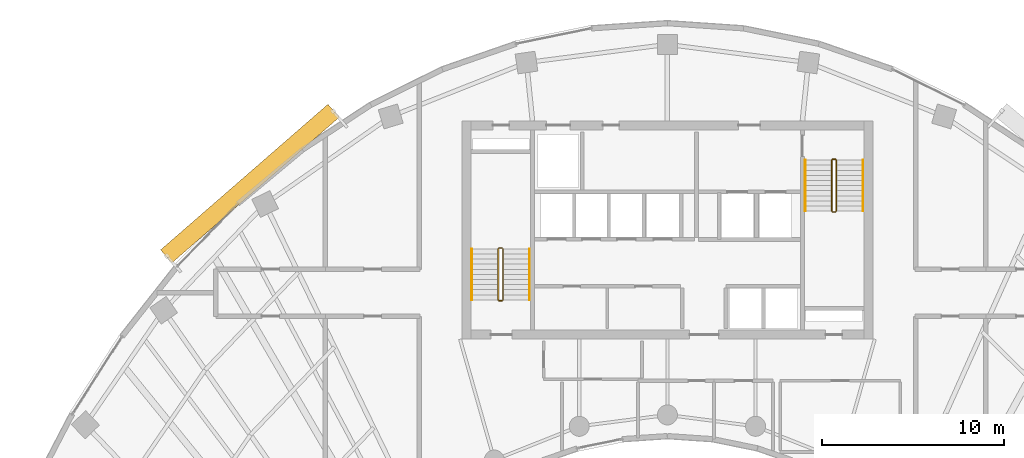
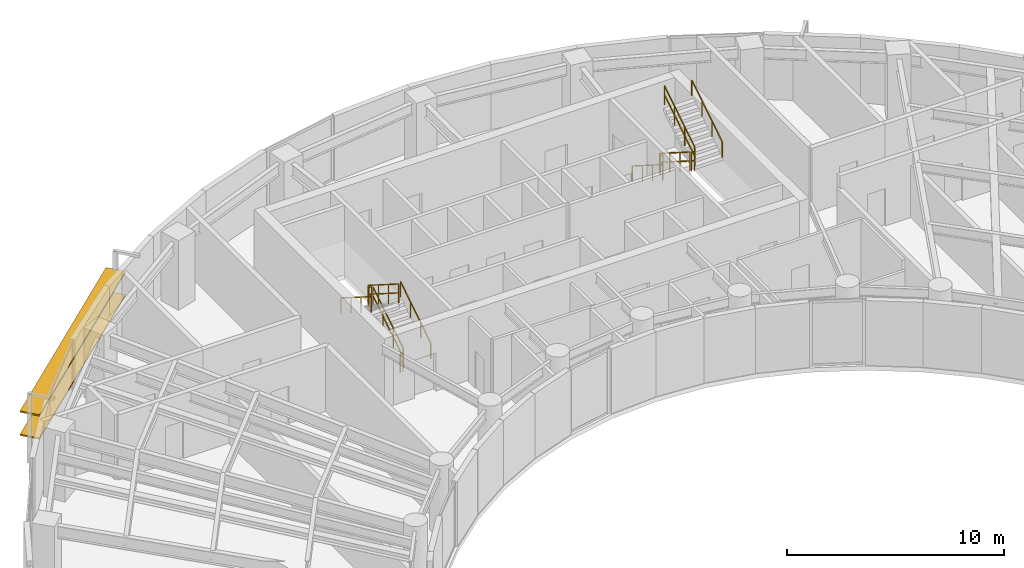
# One storey, part 12 of 13: 12 railings, 2 shading devices.
"""IFC4 building model written with IfcOpenShell, lengths in metres."""

from ifc_helpers import new_model, si_unit, direction, frame, origin, origin_2d, place, context, subcontext, project, spatial, rectangle, extrude, source, transform, mapped, material, material_profile, profile_set, type_object, type_shapes, element, save


model = new_model("IFC4")

# Units and contexts
model_context = context("Model", 3, precision=1e-05, world=origin(), true_north=direction((0.0, 1.0)))
body_context = subcontext(model_context, "Body", "Model", "MODEL_VIEW")
ifc_project = project(units=[si_unit("LENGTHUNIT", "METRE"), si_unit("AREAUNIT", "SQUARE_METRE"), si_unit("VOLUMEUNIT", "CUBIC_METRE"), si_unit("PLANEANGLEUNIT", "RADIAN"), si_unit("MASSUNIT", "GRAM", prefix="KILO")], contexts=[model_context])

# Site, building, storey
site_placement = place(None, origin())
site = spatial("IfcSite", under=ifc_project, at=site_placement, CompositionType="ELEMENT")
building_placement = place(site_placement, origin())
building = spatial("IfcBuilding", under=site, at=building_placement, Name="Breltana Convention Tower", CompositionType="ELEMENT")
storey_placement = place(building_placement, frame((0.0, 0.0, 181.800048828125)))
storey = spatial("IfcBuildingStorey", under=building, at=storey_placement, Name="L44", CompositionType="ELEMENT", Elevation=181.800048828125)

# Railings
ifc_material_1 = material(Name="Steel S275 Painted", Category="steel")
railing_type_1 = type_object("IfcRailingType", Name="RL-STAIR-GUARD-1100", PredefinedType="GUARDRAIL", material=ifc_material_1)
railing_1_placement = place(storey_placement, frame((38.9599609375, 62.360107421875, 0.17724609375)))
element("IfcRailing", 1, at=railing_1_placement, inside=storey, type_object=railing_type_1, Name="L44 ST-1 stair guard 1", PredefinedType="GUARDRAIL", context=body_context, shape_type="SweptSolid", body=[
    extrude(rectangle(XDim=0.048095703125, YDim=0.048095703125, at=origin_2d()), frame((0.0, 0.0, 1.076171875), z_axis=(0.0, 0.844887892834, 0.53494340686), x_axis=(-1.0, 0.0, 0.0)), (0.0, 0.0, 1.0), 3.313720703125),
    extrude(rectangle(XDim=0.048095703125, YDim=0.048095703125, at=origin_2d()), frame((0.0, 0.0, 0.572021484375), z_axis=(0.0, 0.844887892834, 0.53494340686), x_axis=(-1.0, 0.0, 0.0)), (0.0, 0.0, 1.0), 3.313720703125),
    extrude(rectangle(XDim=0.0419921875, YDim=0.0419921875, at=origin_2d()), origin(), (0.0, 0.0, 1.0), 1.052001953125),
    extrude(rectangle(XDim=0.0419921875, YDim=0.0419921875, at=origin_2d()), frame((0.0, 0.933349609375, 0.5908203125)), (0.0, 0.0, 1.0), 1.052001953125),
    extrude(rectangle(XDim=0.0419921875, YDim=0.0419921875, at=origin_2d()), frame((0.0, 1.866455078125, 1.181884765625)), (0.0, 0.0, 1.0), 1.052001953125),
    extrude(rectangle(XDim=0.0419921875, YDim=0.0419921875, at=origin_2d()), frame((0.0, 2.7998046875, 1.772705078125)), (0.0, 0.0, 1.0), 1.052001953125),
])
railing_2_placement = place(storey_placement, frame((38.909912109375, 65.2099609375, 1.949951171875)))
element("IfcRailing", 2, at=railing_2_placement, inside=storey, type_object=railing_type_1, Name="L44 ST-1 stair guard 2", PredefinedType="GUARDRAIL", context=body_context, shape_type="SweptSolid", body=[
    extrude(rectangle(XDim=0.048095703125, YDim=0.048095703125, at=origin_2d()), frame((0.0, 0.0, 1.076171875), z_axis=(-1.0, 0.0, 0.0), x_axis=(0.0, -1.0, 0.0)), (0.0, 0.0, 1.0), 0.14990234375),
    extrude(rectangle(XDim=0.048095703125, YDim=0.048095703125, at=origin_2d()), frame((0.0, 0.0, 0.572021484375), z_axis=(-1.0, 0.0, 0.0), x_axis=(0.0, -1.0, 0.0)), (0.0, 0.0, 1.0), 0.14990234375),
    extrude(rectangle(XDim=0.0419921875, YDim=0.0419921875, at=origin_2d()), origin(), (0.0, 0.0, 1.0), 1.052001953125),
    extrude(rectangle(XDim=0.0419921875, YDim=0.0419921875, at=origin_2d()), frame((-0.14990234375, 0.0, 0.0)), (0.0, 0.0, 1.0), 1.052001953125),
])
railing_3_placement = place(storey_placement, frame((38.7099609375, 65.159912109375, 2.127197265625)))
element("IfcRailing", 3, at=railing_3_placement, inside=storey, type_object=railing_type_1, Name="L44 ST-1 stair guard 3", PredefinedType="GUARDRAIL", context=body_context, shape_type="SweptSolid", body=[
    extrude(rectangle(XDim=0.048095703125, YDim=0.048095703125, at=origin_2d()), frame((0.0, 0.0, 1.076171875), z_axis=(0.0, -0.844887892834, 0.53494340686), x_axis=(1.0, 0.0, 0.0)), (0.0, 0.0, 1.0), 3.313720703125),
    extrude(rectangle(XDim=0.048095703125, YDim=0.048095703125, at=origin_2d()), frame((0.0, 0.0, 0.572021484375), z_axis=(0.0, -0.844887892834, 0.53494340686), x_axis=(1.0, 0.0, 0.0)), (0.0, 0.0, 1.0), 3.313720703125),
    extrude(rectangle(XDim=0.0419921875, YDim=0.0419921875, at=origin_2d()), origin(), (0.0, 0.0, 1.0), 1.052001953125),
    extrude(rectangle(XDim=0.0419921875, YDim=0.0419921875, at=origin_2d()), frame((0.0, -0.933349609375, 0.5908203125)), (0.0, 0.0, 1.0), 1.052001953125),
    extrude(rectangle(XDim=0.0419921875, YDim=0.0419921875, at=origin_2d()), frame((0.0, -1.866455078125, 1.181884765625)), (0.0, 0.0, 1.0), 1.052001953125),
    extrude(rectangle(XDim=0.0419921875, YDim=0.0419921875, at=origin_2d()), frame((0.0, -2.7998046875, 1.772705078125)), (0.0, 0.0, 1.0), 1.052001953125),
])
railing_4_placement = place(storey_placement, frame((38.909912109375, 62.31005859375, 0.0)))
element("IfcRailing", 4, at=railing_4_placement, inside=storey, type_object=railing_type_1, Name="L44 ST-1 stair guard 4", PredefinedType="GUARDRAIL", context=body_context, shape_type="SweptSolid", body=[
    extrude(rectangle(XDim=0.048095703125, YDim=0.048095703125, at=origin_2d()), frame((0.0, 0.0, 1.076171875), z_axis=(-1.0, 0.0, 0.0), x_axis=(0.0, -1.0, 0.0)), (0.0, 0.0, 1.0), 0.14990234375),
    extrude(rectangle(XDim=0.048095703125, YDim=0.048095703125, at=origin_2d()), frame((0.0, 0.0, 0.572021484375), z_axis=(-1.0, 0.0, 0.0), x_axis=(0.0, -1.0, 0.0)), (0.0, 0.0, 1.0), 0.14990234375),
    extrude(rectangle(XDim=0.0419921875, YDim=0.0419921875, at=origin_2d()), origin(), (0.0, 0.0, 1.0), 1.052001953125),
    extrude(rectangle(XDim=0.0419921875, YDim=0.0419921875, at=origin_2d()), frame((-0.14990234375, 0.0, 0.0)), (0.0, 0.0, 1.0), 1.052001953125),
])
railing_5_placement = place(storey_placement, frame((57.0400390625, 70.0400390625, 0.17724609375)))
element("IfcRailing", 5, at=railing_5_placement, inside=storey, type_object=railing_type_1, Name="L44 ST-2 stair guard 1", PredefinedType="GUARDRAIL", context=body_context, shape_type="SweptSolid", body=[
    extrude(rectangle(XDim=0.048095703125, YDim=0.048095703125, at=origin_2d()), frame((0.0, 0.0, 1.076171875), z_axis=(0.0, -0.844908973607, 0.534910110503), x_axis=(1.0, 0.0, 0.0)), (0.0, 0.0, 1.0), 3.31396484375),
    extrude(rectangle(XDim=0.048095703125, YDim=0.048095703125, at=origin_2d()), frame((0.0, 0.0, 0.572021484375), z_axis=(0.0, -0.844908973607, 0.534910110503), x_axis=(1.0, 0.0, 0.0)), (0.0, 0.0, 1.0), 3.31396484375),
    extrude(rectangle(XDim=0.0419921875, YDim=0.0419921875, at=origin_2d()), origin(), (0.0, 0.0, 1.0), 1.052001953125),
    extrude(rectangle(XDim=0.0419921875, YDim=0.0419921875, at=origin_2d()), frame((0.0, -0.933349609375, 0.5908203125)), (0.0, 0.0, 1.0), 1.052001953125),
    extrude(rectangle(XDim=0.0419921875, YDim=0.0419921875, at=origin_2d()), frame((0.0, -1.86669921875, 1.181884765625)), (0.0, 0.0, 1.0), 1.052001953125),
    extrude(rectangle(XDim=0.0419921875, YDim=0.0419921875, at=origin_2d()), frame((0.0, -2.800048828125, 1.772705078125)), (0.0, 0.0, 1.0), 1.052001953125),
])
railing_6_placement = place(storey_placement, frame((57.090087890625, 67.18994140625, 1.949951171875)))
element("IfcRailing", 6, at=railing_6_placement, inside=storey, type_object=railing_type_1, Name="L44 ST-2 stair guard 2", PredefinedType="GUARDRAIL", context=body_context, shape_type="SweptSolid", body=[
    extrude(rectangle(XDim=0.048095703125, YDim=0.048095703125, at=origin_2d()), frame((0.0, 0.0, 1.076171875), z_axis=(1.0, 0.0, 0.0), x_axis=(0.0, 1.0, 0.0)), (0.0, 0.0, 1.0), 0.14990234375),
    extrude(rectangle(XDim=0.048095703125, YDim=0.048095703125, at=origin_2d()), frame((0.0, 0.0, 0.572021484375), z_axis=(1.0, 0.0, 0.0), x_axis=(0.0, 1.0, 0.0)), (0.0, 0.0, 1.0), 0.14990234375),
    extrude(rectangle(XDim=0.0419921875, YDim=0.0419921875, at=origin_2d()), origin(), (0.0, 0.0, 1.0), 1.052001953125),
    extrude(rectangle(XDim=0.0419921875, YDim=0.0419921875, at=origin_2d()), frame((0.14990234375, 0.0, 0.0)), (0.0, 0.0, 1.0), 1.052001953125),
])
railing_7_placement = place(storey_placement, frame((57.2900390625, 67.239990234375, 2.127197265625)))
element("IfcRailing", 7, at=railing_7_placement, inside=storey, type_object=railing_type_1, Name="L44 ST-2 stair guard 3", PredefinedType="GUARDRAIL", context=body_context, shape_type="SweptSolid", body=[
    extrude(rectangle(XDim=0.048095703125, YDim=0.048095703125, at=origin_2d()), frame((0.0, 0.0, 1.076171875), z_axis=(0.0, 0.844908973607, 0.534910110503), x_axis=(-1.0, 0.0, 0.0)), (0.0, 0.0, 1.0), 3.31396484375),
    extrude(rectangle(XDim=0.048095703125, YDim=0.048095703125, at=origin_2d()), frame((0.0, 0.0, 0.572021484375), z_axis=(0.0, 0.844908973607, 0.534910110503), x_axis=(-1.0, 0.0, 0.0)), (0.0, 0.0, 1.0), 3.31396484375),
    extrude(rectangle(XDim=0.0419921875, YDim=0.0419921875, at=origin_2d()), origin(), (0.0, 0.0, 1.0), 1.052001953125),
    extrude(rectangle(XDim=0.0419921875, YDim=0.0419921875, at=origin_2d()), frame((0.0, 0.933349609375, 0.5908203125)), (0.0, 0.0, 1.0), 1.052001953125),
    extrude(rectangle(XDim=0.0419921875, YDim=0.0419921875, at=origin_2d()), frame((0.0, 1.86669921875, 1.181884765625)), (0.0, 0.0, 1.0), 1.052001953125),
    extrude(rectangle(XDim=0.0419921875, YDim=0.0419921875, at=origin_2d()), frame((0.0, 2.800048828125, 1.772705078125)), (0.0, 0.0, 1.0), 1.052001953125),
])
railing_8_placement = place(storey_placement, frame((57.090087890625, 70.090087890625, 0.0)))
element("IfcRailing", 8, at=railing_8_placement, inside=storey, type_object=railing_type_1, Name="L44 ST-2 stair guard 4", PredefinedType="GUARDRAIL", context=body_context, shape_type="SweptSolid", body=[
    extrude(rectangle(XDim=0.048095703125, YDim=0.048095703125, at=origin_2d()), frame((0.0, 0.0, 1.076171875), z_axis=(1.0, 0.0, 0.0), x_axis=(0.0, 1.0, 0.0)), (0.0, 0.0, 1.0), 0.14990234375),
    extrude(rectangle(XDim=0.048095703125, YDim=0.048095703125, at=origin_2d()), frame((0.0, 0.0, 0.572021484375), z_axis=(1.0, 0.0, 0.0), x_axis=(0.0, 1.0, 0.0)), (0.0, 0.0, 1.0), 0.14990234375),
    extrude(rectangle(XDim=0.0419921875, YDim=0.0419921875, at=origin_2d()), origin(), (0.0, 0.0, 1.0), 1.052001953125),
    extrude(rectangle(XDim=0.0419921875, YDim=0.0419921875, at=origin_2d()), frame((0.14990234375, 0.0, 0.0)), (0.0, 0.0, 1.0), 1.052001953125),
])
ifc_material_2 = material(Name="Stainless Steel 316L", Category="steel")
railing_type_2 = type_object("IfcRailingType", Name="RL-STAIR-HANDRAIL-900", PredefinedType="HANDRAIL", material=ifc_material_2)
railing_9_placement = place(storey_placement, frame((40.419921875, 62.360107421875, 0.17724609375)))
element("IfcRailing", 9, at=railing_9_placement, inside=storey, type_object=railing_type_2, Name="L44 ST-1 stair handrail 1", PredefinedType="HANDRAIL", context=body_context, shape_type="SweptSolid", body=[
    extrude(rectangle(XDim=0.048095703125, YDim=0.048095703125, at=origin_2d()), frame((0.0, 0.0, 0.8759765625), z_axis=(0.0, 0.844887892834, 0.53494340686), x_axis=(-1.0, 0.0, 0.0)), (0.0, 0.0, 1.0), 3.313720703125),
    extrude(rectangle(XDim=0.0419921875, YDim=0.0419921875, at=origin_2d()), origin(), (0.0, 0.0, 1.0), 0.851806640625),
    extrude(rectangle(XDim=0.0419921875, YDim=0.0419921875, at=origin_2d()), frame((0.0, 0.933349609375, 0.5908203125)), (0.0, 0.0, 1.0), 0.851806640625),
    extrude(rectangle(XDim=0.0419921875, YDim=0.0419921875, at=origin_2d()), frame((0.0, 1.866455078125, 1.181884765625)), (0.0, 0.0, 1.0), 0.851806640625),
    extrude(rectangle(XDim=0.0419921875, YDim=0.0419921875, at=origin_2d()), frame((0.0, 2.7998046875, 1.772705078125)), (0.0, 0.0, 1.0), 0.851806640625),
])
railing_10_placement = place(storey_placement, frame((37.25, 65.159912109375, 2.127197265625)))
element("IfcRailing", 10, at=railing_10_placement, inside=storey, type_object=railing_type_2, Name="L44 ST-1 stair handrail 2", PredefinedType="HANDRAIL", context=body_context, shape_type="SweptSolid", body=[
    extrude(rectangle(XDim=0.048095703125, YDim=0.048095703125, at=origin_2d()), frame((0.0, 0.0, 0.8759765625), z_axis=(0.0, -0.844887892834, 0.53494340686), x_axis=(1.0, 0.0, 0.0)), (0.0, 0.0, 1.0), 3.313720703125),
    extrude(rectangle(XDim=0.0419921875, YDim=0.0419921875, at=origin_2d()), origin(), (0.0, 0.0, 1.0), 0.851806640625),
    extrude(rectangle(XDim=0.0419921875, YDim=0.0419921875, at=origin_2d()), frame((0.0, -0.933349609375, 0.5908203125)), (0.0, 0.0, 1.0), 0.851806640625),
    extrude(rectangle(XDim=0.0419921875, YDim=0.0419921875, at=origin_2d()), frame((0.0, -1.866455078125, 1.181884765625)), (0.0, 0.0, 1.0), 0.851806640625),
    extrude(rectangle(XDim=0.0419921875, YDim=0.0419921875, at=origin_2d()), frame((0.0, -2.7998046875, 1.772705078125)), (0.0, 0.0, 1.0), 0.851806640625),
])
railing_11_placement = place(storey_placement, frame((55.580078125, 70.0400390625, 0.17724609375)))
element("IfcRailing", 11, at=railing_11_placement, inside=storey, type_object=railing_type_2, Name="L44 ST-2 stair handrail 1", PredefinedType="HANDRAIL", context=body_context, shape_type="SweptSolid", body=[
    extrude(rectangle(XDim=0.048095703125, YDim=0.048095703125, at=origin_2d()), frame((0.0, 0.0, 0.8759765625), z_axis=(0.0, -0.844908973607, 0.534910110503), x_axis=(1.0, 0.0, 0.0)), (0.0, 0.0, 1.0), 3.31396484375),
    extrude(rectangle(XDim=0.0419921875, YDim=0.0419921875, at=origin_2d()), origin(), (0.0, 0.0, 1.0), 0.851806640625),
    extrude(rectangle(XDim=0.0419921875, YDim=0.0419921875, at=origin_2d()), frame((0.0, -0.933349609375, 0.5908203125)), (0.0, 0.0, 1.0), 0.851806640625),
    extrude(rectangle(XDim=0.0419921875, YDim=0.0419921875, at=origin_2d()), frame((0.0, -1.86669921875, 1.181884765625)), (0.0, 0.0, 1.0), 0.851806640625),
    extrude(rectangle(XDim=0.0419921875, YDim=0.0419921875, at=origin_2d()), frame((0.0, -2.800048828125, 1.772705078125)), (0.0, 0.0, 1.0), 0.851806640625),
])
railing_12_placement = place(storey_placement, frame((58.75, 67.239990234375, 2.127197265625)))
element("IfcRailing", 12, at=railing_12_placement, inside=storey, type_object=railing_type_2, Name="L44 ST-2 stair handrail 2", PredefinedType="HANDRAIL", context=body_context, shape_type="SweptSolid", body=[
    extrude(rectangle(XDim=0.048095703125, YDim=0.048095703125, at=origin_2d()), frame((0.0, 0.0, 0.8759765625), z_axis=(0.0, 0.844908973607, 0.534910110503), x_axis=(-1.0, 0.0, 0.0)), (0.0, 0.0, 1.0), 3.31396484375),
    extrude(rectangle(XDim=0.0419921875, YDim=0.0419921875, at=origin_2d()), origin(), (0.0, 0.0, 1.0), 0.851806640625),
    extrude(rectangle(XDim=0.0419921875, YDim=0.0419921875, at=origin_2d()), frame((0.0, 0.933349609375, 0.5908203125)), (0.0, 0.0, 1.0), 0.851806640625),
    extrude(rectangle(XDim=0.0419921875, YDim=0.0419921875, at=origin_2d()), frame((0.0, 1.86669921875, 1.181884765625)), (0.0, 0.0, 1.0), 0.851806640625),
    extrude(rectangle(XDim=0.0419921875, YDim=0.0419921875, at=origin_2d()), frame((0.0, 2.800048828125, 1.772705078125)), (0.0, 0.0, 1.0), 0.851806640625),
])

# Shading devices
ifc_material_3 = material(Name="Limestone Warm Buff Honed", Category="masonry")
ifc_material_profile = material_profile(ifc_material_3, rectangle(XDim=0.949951171875, YDim=0.080078125, at=origin_2d()), Name="STN-LVR-950X80")
ifc_profile_set = profile_set([ifc_material_profile], Name="Limestone Warm Buff Honed")
shading_device_type = type_object("IfcShadingDeviceType", Name="SHD-OUTER-SKIN-LIMESTONE-950", PredefinedType="JALOUSIE", material=ifc_profile_set)
shared_shape = source(origin(), body_context, "Body", "SweptSolid", [
    extrude(rectangle(XDim=0.949951171875, YDim=0.080078125, at=origin_2d()), origin(), (0.0, 0.0, 1.0), 12.1943359375),
])
type_shapes(shading_device_type, [shared_shape])
for number, where, z_axis, x_axis, name in (
    (13, (20.451904296875, 64.74951171875, 1.31396484375), (0.754361083307, 0.656459713914, 0.0), (-0.656459713914, 0.754361083307, 0.0), "L44 outer skin warm limestone louvre 1.1"),
    (14, (20.451904296875, 64.74951171875, 2.6279296875), (0.754361083307, 0.656459713914, 0.0), (-0.656459713914, 0.754361083307, 0.0), "L44 outer skin warm limestone louvre 1.2"),
):
    element("IfcShadingDevice", number, at=place(storey_placement, frame(where, z_axis=z_axis, x_axis=x_axis)), inside=storey, type_object=shading_device_type, Name=name, PredefinedType="JALOUSIE", context=body_context, shape_type="MappedRepresentation", body=[
        mapped(shared_shape, transform((0.0, 0.0, 0.0), scale=1.0)),
    ])

save(model, "model.ifc")
